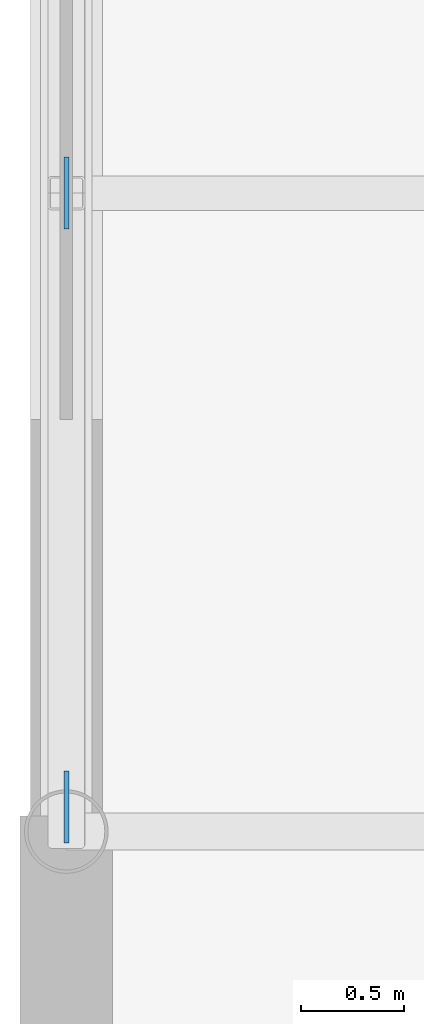
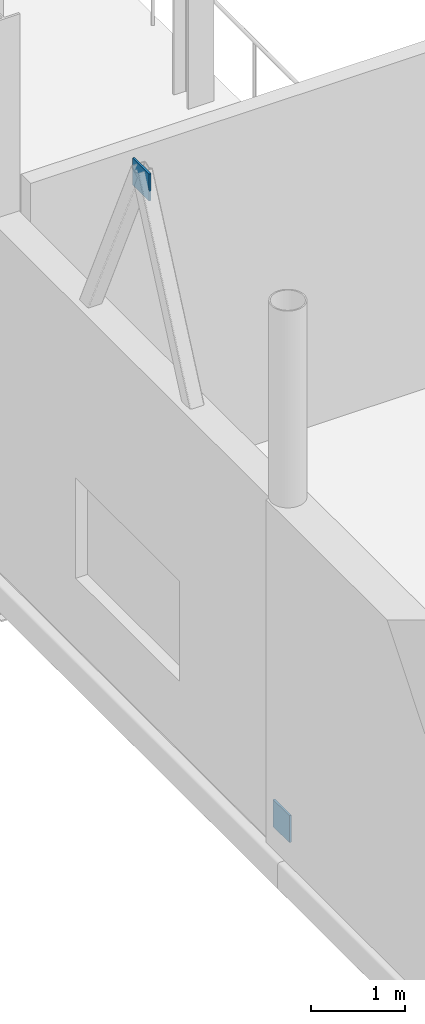
# One storey, part 75 of 105: 2 discrete accessories.
"""IFC4 building model written with IfcOpenShell, lengths in metres."""

from ifc_helpers import new_model, si_unit, direction, frame, origin, origin_2d, place, context, subcontext, project, spatial, rectangle, extrude, material, type_object, element, save


model = new_model("IFC4")

# Units and contexts
model_context = context("Model", 3, precision=1e-05, world=origin(), true_north=direction((0.0, 1.0)))
body_context = subcontext(model_context, "Body", "Model", "MODEL_VIEW")
ifc_project = project(units=[si_unit("LENGTHUNIT", "METRE"), si_unit("AREAUNIT", "SQUARE_METRE"), si_unit("VOLUMEUNIT", "CUBIC_METRE"), si_unit("PLANEANGLEUNIT", "RADIAN"), si_unit("MASSUNIT", "GRAM", prefix="KILO")], contexts=[model_context])

# Site, building, storey
site_placement = place(None, origin())
site = spatial("IfcSite", under=ifc_project, at=site_placement, CompositionType="ELEMENT")
building_placement = place(site_placement, origin())
building = spatial("IfcBuilding", under=site, at=building_placement, Name="Mirzam Square Science Centre", CompositionType="ELEMENT")
storey_placement = place(building_placement, frame((0.0, 0.0, 5.39990234375)))
storey = spatial("IfcBuildingStorey", under=building, at=storey_placement, Name="L01", CompositionType="ELEMENT", Elevation=5.39990234375)

# Discrete accessories
ifc_material = material(Name="Steel S355", Category="steel")
discrete_accessory_type = type_object("IfcDiscreteAccessoryType", Name="BK-BRACE-GUSSET", PredefinedType="BRACKET", material=ifc_material)
for number, where, z_axis, x_axis, name in (
    (1, (0.0, 43.52001953125, -0.0048828125), (0.0, 0.0, 1.0), (0.0, 1.0, 0.0), "L01 brace gusset plate 1A"),
    (2, (0.0, 46.5, 6.50341796875), (0.0, 0.0, 1.0), (0.0, 1.0, 0.0), "L01 brace apex gusset plate 1"),
):
    element("IfcDiscreteAccessory", number, at=place(storey_placement, frame(where, z_axis=z_axis, x_axis=x_axis)), inside=storey, type_object=discrete_accessory_type, Name=name, PredefinedType="BRACKET", context=body_context, shape_type="SweptSolid", body=[
        extrude(rectangle(XDim=0.35009765625, YDim=0.02490234375, at=origin_2d()), origin(), (0.0, 0.0, 1.0), 0.35009765625),
    ])

save(model, "model.ifc")
